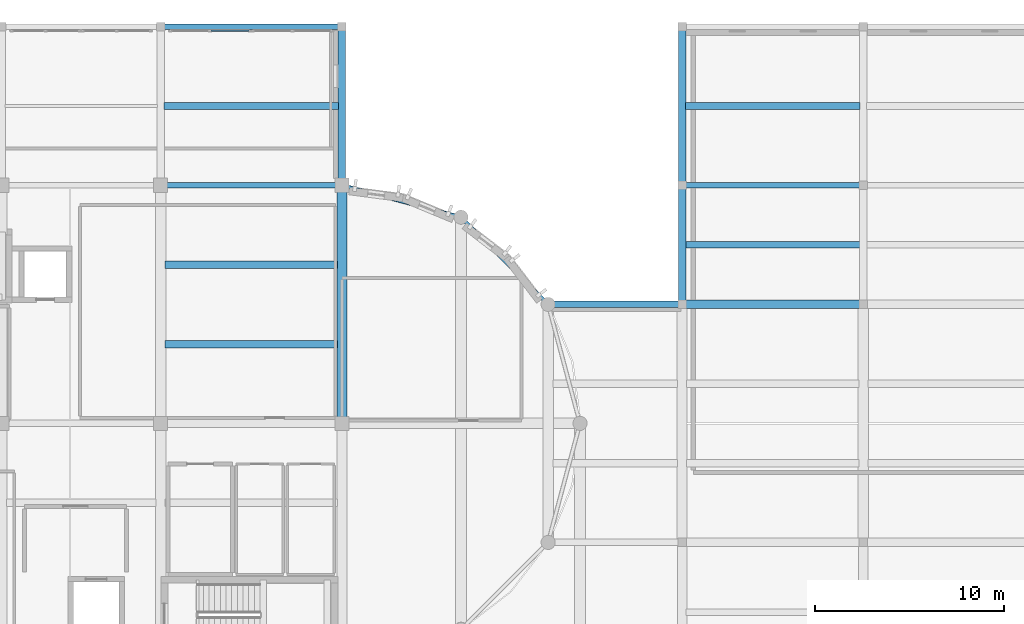
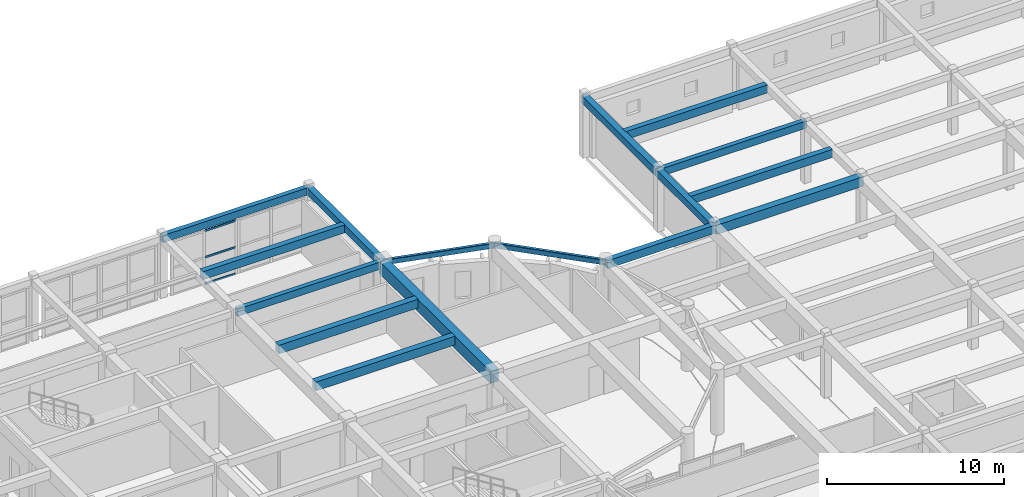
# One storey, part 50 of 91: 16 beams, 3 members, 1 element without a shape of its own.
"""IFC4 building model written with IfcOpenShell, lengths in metres."""

from ifc_helpers import new_model, si_unit, direction, frame, origin, origin_2d, place, context, subcontext, project, spatial, rectangle, hollow_rectangle, extrude, material, layer, layer_set, material_profile, profile_set, type_object, element, aggregate, save


model = new_model("IFC4")

# Units and contexts
model_context = context("Model", 3, precision=1e-05, world=origin(), true_north=direction((0.0, 1.0)))
body_context = subcontext(model_context, "Body", "Model", "MODEL_VIEW")
ifc_project = project(units=[si_unit("LENGTHUNIT", "METRE"), si_unit("AREAUNIT", "SQUARE_METRE"), si_unit("VOLUMEUNIT", "CUBIC_METRE"), si_unit("PLANEANGLEUNIT", "RADIAN"), si_unit("MASSUNIT", "GRAM", prefix="KILO")], contexts=[model_context])

# Site, building, storey
site_placement = place(None, origin())
site = spatial("IfcSite", under=ifc_project, at=site_placement, CompositionType="ELEMENT")
building_placement = place(site_placement, origin())
building = spatial("IfcBuilding", under=site, at=building_placement, Name="Tarnavel Promenade Courthouse", CompositionType="ELEMENT")
storey_placement = place(building_placement, frame((0.0, 0.0, 9.89990234375)))
storey = spatial("IfcBuildingStorey", under=building, at=storey_placement, Name="L03", CompositionType="ELEMENT", Elevation=9.89990234375)

# Beams
ifc_material_1 = material(Name="Concrete C40/50", Category="concrete")
ifc_material_profile_1 = material_profile(ifc_material_1, rectangle(XDim=0.35009765625, YDim=0.550048828125, at=origin_2d()), Name="PT 350x550")
ifc_profile_set_1 = profile_set([ifc_material_profile_1], Name="Concrete C40/50")
beam_type_1 = type_object("IfcBeamType", Name="Concrete C40/50 BM-PT-350x550 (PT 350x550)", PredefinedType="JOIST", material=ifc_profile_set_1)
for number, where, z_axis, x_axis, name in (
    (1, (92.570068359375, 108.60009765625, 3.97021484375), (1.0, 0.0, 0.0), (0.0, 1.0, 0.0), "L03 Secondary Floor Rib 1951"),
    (2, (120.169921875, 108.60009765625, 3.97021484375), (1.0, 0.0, 0.0), (0.0, 1.0, 0.0), "L03 Secondary Floor Rib 1952"),
    (3, (120.169921875, 101.25, 3.97021484375), (1.0, 0.0, 0.0), (0.0, 1.0, 0.0), "L03 Secondary Floor Rib 1960"),
):
    element("IfcBeam", number, at=place(storey_placement, frame(where, z_axis=z_axis, x_axis=x_axis)), inside=storey, type_object=beam_type_1, Name=name, PredefinedType="JOIST", context=body_context, shape_type="SweptSolid", body=[
        extrude(rectangle(XDim=0.35009765625, YDim=0.550048828125, at=origin_2d()), origin(), (0.0, 0.0, 1.0), 9.260009765625),
    ])
ifc_material_profile_2 = material_profile(ifc_material_1, rectangle(XDim=0.39990234375, YDim=0.60009765625, at=origin_2d()), Name="PT 400x600")
ifc_profile_set_2 = profile_set([ifc_material_profile_2], Name="Concrete C40/50")
beam_type_2 = type_object("IfcBeamType", Name="Concrete C40/50 BM-PT-400x600 (PT 400x600)", PredefinedType="JOIST", material=ifc_profile_set_2)
for number, where, z_axis, x_axis, name in (
    (4, (92.64501953125, 96.0, 3.945068359375), (1.0, 0.0, 0.0), (0.0, 1.0, 0.0), "L03 Secondary Floor Rib 1945"),
    (5, (92.64501953125, 100.199951171875, 3.945068359375), (1.0, 0.0, 0.0), (0.0, 1.0, 0.0), "L03 Secondary Floor Rib 1946"),
):
    element("IfcBeam", number, at=place(storey_placement, frame(where, z_axis=z_axis, x_axis=x_axis)), inside=storey, type_object=beam_type_2, Name=name, PredefinedType="JOIST", context=body_context, shape_type="SweptSolid", body=[
        extrude(rectangle(XDim=0.39990234375, YDim=0.60009765625, at=origin_2d()), origin(), (0.0, 0.0, 1.0), 9.10986328125),
    ])
ifc_material_profile_3 = material_profile(ifc_material_1, rectangle(XDim=0.550048828125, YDim=0.85009765625, at=origin_2d()), Name="PT 550x850")
ifc_profile_set_3 = profile_set([ifc_material_profile_3], Name="Concrete C40/50")
beam_type_3 = type_object("IfcBeamType", Name="Concrete C40/50 BM-PT-550x850 (PT 550x850)", PredefinedType="T_BEAM", material=ifc_profile_set_3)
beam_1_placement = place(storey_placement, frame((102.0, 91.800048828125, 3.820068359375), z_axis=(0.0, 1.0, 0.0), x_axis=(-1.0, 0.0, 0.0)))
element("IfcBeam", 6, at=beam_1_placement, inside=storey, type_object=beam_type_3, Name="L03 Transverse Girder 1773", PredefinedType="T_BEAM", context=body_context, shape_type="SweptSolid", body=[
    extrude(rectangle(XDim=0.550048828125, YDim=0.85009765625, at=origin_2d()), origin(), (0.0, 0.0, 1.0), 12.599853515625),
])
ifc_material_profile_4 = material_profile(ifc_material_1, rectangle(XDim=0.35009765625, YDim=0.550048828125, at=origin_2d()), Name="RC 350x550")
ifc_profile_set_4 = profile_set([ifc_material_profile_4], Name="Concrete C40/50")
beam_type_4 = type_object("IfcBeamType", Name="Concrete C40/50 BM-RC-350x550 (RC 350x550)", PredefinedType="BEAM", material=ifc_profile_set_4)
beam_2_placement = place(storey_placement, frame((112.911865234375, 98.10009765625, 3.97021484375), z_axis=(1.0, 0.0, 0.0), x_axis=(0.0, 1.0, 0.0)))
element("IfcBeam", 7, at=beam_2_placement, inside=storey, type_object=beam_type_4, Name="L03 Primary Longitudinal Beam 1657", PredefinedType="BEAM", context=body_context, shape_type="SweptSolid", body=[
    extrude(rectangle(XDim=0.35009765625, YDim=0.550048828125, at=origin_2d()), origin(), (0.0, 0.0, 1.0), 7.088134765625),
])
ifc_material_profile_5 = material_profile(ifc_material_1, rectangle(XDim=0.39990234375, YDim=0.5, at=origin_2d()), Name="RC 400x500")
ifc_profile_set_5 = profile_set([ifc_material_profile_5], Name="Concrete C40/50")
beam_type_5 = type_object("IfcBeamType", Name="Concrete C40/50 BM-RC-400x500 (RC 400x500)", PredefinedType="BEAM", material=ifc_profile_set_5)
beam_3_placement = place(storey_placement, frame((102.0, 104.39990234375, 3.9951171875), z_axis=(0.0, 1.0, 0.0), x_axis=(-1.0, 0.0, 0.0)))
element("IfcBeam", 8, at=beam_3_placement, inside=storey, type_object=beam_type_5, Name="L03 Transverse Girder 1774", PredefinedType="BEAM", context=body_context, shape_type="SweptSolid", body=[
    extrude(rectangle(XDim=0.39990234375, YDim=0.5, at=origin_2d()), origin(), (0.0, 0.0, 1.0), 8.400146484375),
])
beam_4_placement = place(storey_placement, frame((120.0, 98.10009765625, 3.9951171875), z_axis=(0.0, 1.0, 0.0), x_axis=(-1.0, 0.0, 0.0)))
element("IfcBeam", 9, at=beam_4_placement, inside=storey, type_object=beam_type_5, Name="L03 Transverse Girder 1785", PredefinedType="BEAM", context=body_context, shape_type="SweptSolid", body=[
    extrude(rectangle(XDim=0.39990234375, YDim=0.5, at=origin_2d()), origin(), (0.0, 0.0, 1.0), 6.2998046875),
])
beam_5_placement = place(storey_placement, frame((120.0, 104.39990234375, 3.9951171875), z_axis=(0.0, 1.0, 0.0), x_axis=(-1.0, 0.0, 0.0)))
element("IfcBeam", 10, at=beam_5_placement, inside=storey, type_object=beam_type_5, Name="L03 Transverse Girder 1786", PredefinedType="BEAM", context=body_context, shape_type="SweptSolid", body=[
    extrude(rectangle(XDim=0.39990234375, YDim=0.5, at=origin_2d()), origin(), (0.0, 0.0, 1.0), 8.400146484375),
])
ifc_material_profile_6 = material_profile(ifc_material_1, rectangle(XDim=0.449951171875, YDim=0.64990234375, at=origin_2d()), Name="RC 450x650")
ifc_profile_set_6 = profile_set([ifc_material_profile_6], Name="Concrete C40/50")
beam_type_6 = type_object("IfcBeamType", Name="Concrete C40/50 BM-RC-450x650 (RC 450x650)", PredefinedType="T_BEAM", material=ifc_profile_set_6)
beam_6_placement = place(storey_placement, frame((120.0, 98.10009765625, 3.920166015625), z_axis=(1.0, 0.0, 0.0), x_axis=(0.0, 1.0, 0.0)))
element("IfcBeam", 11, at=beam_6_placement, inside=storey, type_object=beam_type_6, Name="L03 Primary Longitudinal Beam 1658", PredefinedType="T_BEAM", context=body_context, shape_type="SweptSolid", body=[
    extrude(rectangle(XDim=0.449951171875, YDim=0.64990234375, at=origin_2d()), origin(), (0.0, 0.0, 1.0), 9.60009765625),
])
ifc_material_profile_7 = material_profile(ifc_material_1, rectangle(XDim=0.300048828125, YDim=0.5, at=origin_2d()), Name="RC 300x500")
ifc_profile_set_7 = profile_set([ifc_material_profile_7], Name="Concrete C40/50")
beam_type_7 = type_object("IfcBeamType", Name="Concrete C40/50 BM-SP-300x500 (RC 300x500)", PredefinedType="SPANDREL", material=ifc_profile_set_7)
for number, where, z_axis, x_axis, name in (
    (12, (92.39990234375, 104.39990234375, 3.9951171875), (1.0, 0.0, 0.0), (0.0, 1.0, 0.0), "L03 Primary Longitudinal Beam 1666"),
    (13, (120.0, 104.39990234375, 3.9951171875), (1.0, 0.0, 0.0), (0.0, 1.0, 0.0), "L03 Primary Longitudinal Beam 1667"),
    (14, (92.39990234375, 112.800048828125, 3.9951171875), (1.0, 0.0, 0.0), (0.0, 1.0, 0.0), "L03 Primary Longitudinal Beam 1681"),
):
    element("IfcBeam", number, at=place(storey_placement, frame(where, z_axis=z_axis, x_axis=x_axis)), inside=storey, type_object=beam_type_7, Name=name, PredefinedType="SPANDREL", context=body_context, shape_type="SweptSolid", body=[
        extrude(rectangle(XDim=0.300048828125, YDim=0.5, at=origin_2d()), origin(), (0.0, 0.0, 1.0), 9.60009765625),
    ])
ifc_material_2 = material(Name="Steel S355J2", Category="steel")
ifc_material_profile_8 = material_profile(ifc_material_2, hollow_rectangle(XDim=0.199951171875, YDim=0.35009765625, WallThickness=0.012451171875, InnerFilletRadius=0.012451171875, OuterFilletRadius=0.02490234375, at=origin_2d()), Name="RHS 350x200x12.5")
ifc_profile_set_8 = profile_set([ifc_material_profile_8], Name="Steel S355J2")
beam_type_8 = type_object("IfcBeamType", Name="Steel S355J2 BM-ST-RHS350 (RHS 350x200x12.5)", PredefinedType="SPANDREL", material=ifc_profile_set_8)
beam_7_placement = place(storey_placement, frame((112.911865234375, 98.10009765625, 4.070068359375), z_axis=(-0.707106781187, 0.707106781187, 0.0), x_axis=(-0.707106781187, -0.707106781187, 0.0)))
element("IfcBeam", 15, at=beam_7_placement, inside=storey, type_object=beam_type_8, Name="L03 Drum Ring Spandrel 1974", PredefinedType="SPANDREL", context=body_context, shape_type="SweptSolid", body=[
    extrude(hollow_rectangle(XDim=0.199951171875, YDim=0.35009765625, WallThickness=0.012451171875, InnerFilletRadius=0.012451171875, OuterFilletRadius=0.02490234375, at=origin_2d()), origin(), (0.0, 0.0, 1.0), 6.52197265625),
])
beam_8_placement = place(storey_placement, frame((108.300048828125, 102.7119140625, 4.070068359375), z_axis=(-0.965929839907, 0.258804065612, 0.0), x_axis=(-0.258804065612, -0.965929839907, 0.0)))
element("IfcBeam", 16, at=beam_8_placement, inside=storey, type_object=beam_type_8, Name="L03 Drum Ring Spandrel 1975", PredefinedType="SPANDREL", context=body_context, shape_type="SweptSolid", body=[
    extrude(hollow_rectangle(XDim=0.199951171875, YDim=0.35009765625, WallThickness=0.012451171875, InnerFilletRadius=0.012451171875, OuterFilletRadius=0.02490234375, at=origin_2d()), origin(), (0.0, 0.0, 1.0), 6.522216796875),
])

# Curtain wall, members
ifc_material_3 = material(Name="Thermally Broken Anodised Aluminium Curtain Wall System", Category="aluminium")
ifc_layer = layer(ifc_material_3, 0.199951171875)
ifc_layer_set = layer_set([ifc_layer], Name="Thermally Broken Anodised Aluminium Curtain Wall System")
curtain_wall_type = type_object("IfcCurtainWallType", Name="Thermally Broken Aluminium Triple-Glazed Curtain Wall CW-FOYER", PredefinedType="NOTDEFINED", material=ifc_layer_set)
curtain_wall_placement = place(storey_placement, origin())
curtain_wall = element("IfcCurtainWall", 17, at=curtain_wall_placement, inside=storey, type_object=curtain_wall_type, Name="L03 North Foyer Curtain Wall A 148", PredefinedType="NOTDEFINED")
ifc_material_4 = material(Name="Thermally Broken Anodised Aluminium Frame", Category="aluminium")
ifc_material_profile_9 = material_profile(ifc_material_4, hollow_rectangle(XDim=0.070068359375, YDim=0.139892578125, WallThickness=0.0048828125, InnerFilletRadius=0.0048828125, OuterFilletRadius=0.010009765625, at=origin_2d()), Name="CWT 140x70x5")
ifc_profile_set_9 = profile_set([ifc_material_profile_9], Name="Thermally Broken Anodised Aluminium Frame")
member_type = type_object("IfcMemberType", Name="Thermally Broken Anodised Aluminium CWT-125 (CWT 140x70x5)", PredefinedType="USERDEFINED", material=ifc_profile_set_9)
member_1_placement = place(storey_placement, frame((95.06005859375, 112.580078125, 0.03515625), z_axis=(1.0, 0.0, 0.0), x_axis=(0.0, 1.0, 0.0)))
member_1 = element("IfcMember", 18, at=member_1_placement, type_object=member_type, Name="CW-04 transom 2.1", ObjectType="TRANSOM", PredefinedType="USERDEFINED", context=body_context, shape_type="SweptSolid", body=[
    extrude(hollow_rectangle(XDim=0.070068359375, YDim=0.139892578125, WallThickness=0.0048828125, InnerFilletRadius=0.0048828125, OuterFilletRadius=0.010009765625, at=origin_2d()), origin(), (0.0, 0.0, 1.0), 2.02001953125),
])
member_2_placement = place(storey_placement, frame((95.06005859375, 112.580078125, 1.864990234375), z_axis=(1.0, 0.0, 0.0), x_axis=(0.0, 1.0, 0.0)))
member_2 = element("IfcMember", 19, at=member_2_placement, type_object=member_type, Name="CW-04 transom 2.2", ObjectType="TRANSOM", PredefinedType="USERDEFINED", context=body_context, shape_type="SweptSolid", body=[
    extrude(hollow_rectangle(XDim=0.070068359375, YDim=0.139892578125, WallThickness=0.0048828125, InnerFilletRadius=0.0048828125, OuterFilletRadius=0.010009765625, at=origin_2d()), origin(), (0.0, 0.0, 1.0), 2.02001953125),
])
member_3_placement = place(storey_placement, frame((95.06005859375, 112.580078125, 3.695068359375), z_axis=(1.0, 0.0, 0.0), x_axis=(0.0, 1.0, 0.0)))
member_3 = element("IfcMember", 20, at=member_3_placement, type_object=member_type, Name="CW-04 transom 2.3", ObjectType="TRANSOM", PredefinedType="USERDEFINED", context=body_context, shape_type="SweptSolid", body=[
    extrude(hollow_rectangle(XDim=0.070068359375, YDim=0.139892578125, WallThickness=0.0048828125, InnerFilletRadius=0.0048828125, OuterFilletRadius=0.010009765625, at=origin_2d()), origin(), (0.0, 0.0, 1.0), 2.02001953125),
])
aggregate(curtain_wall, [member_1, member_2, member_3])

save(model, "model.ifc")
